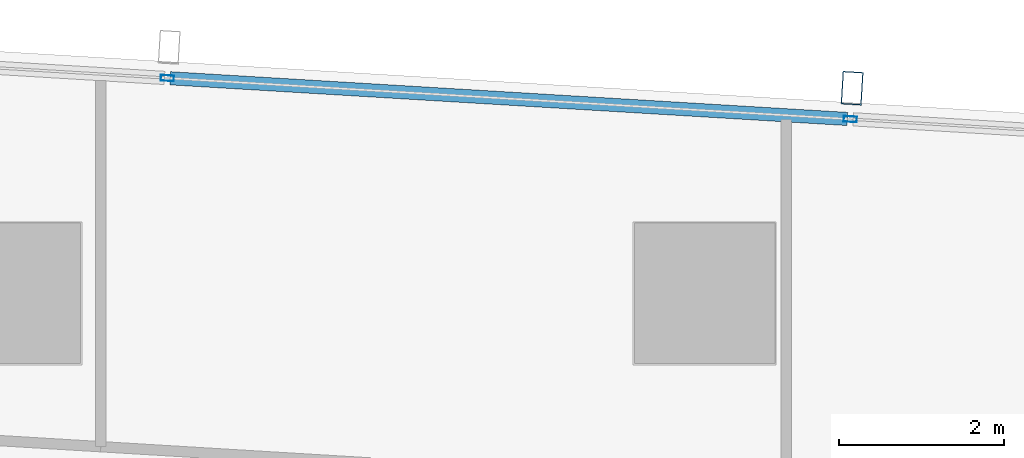
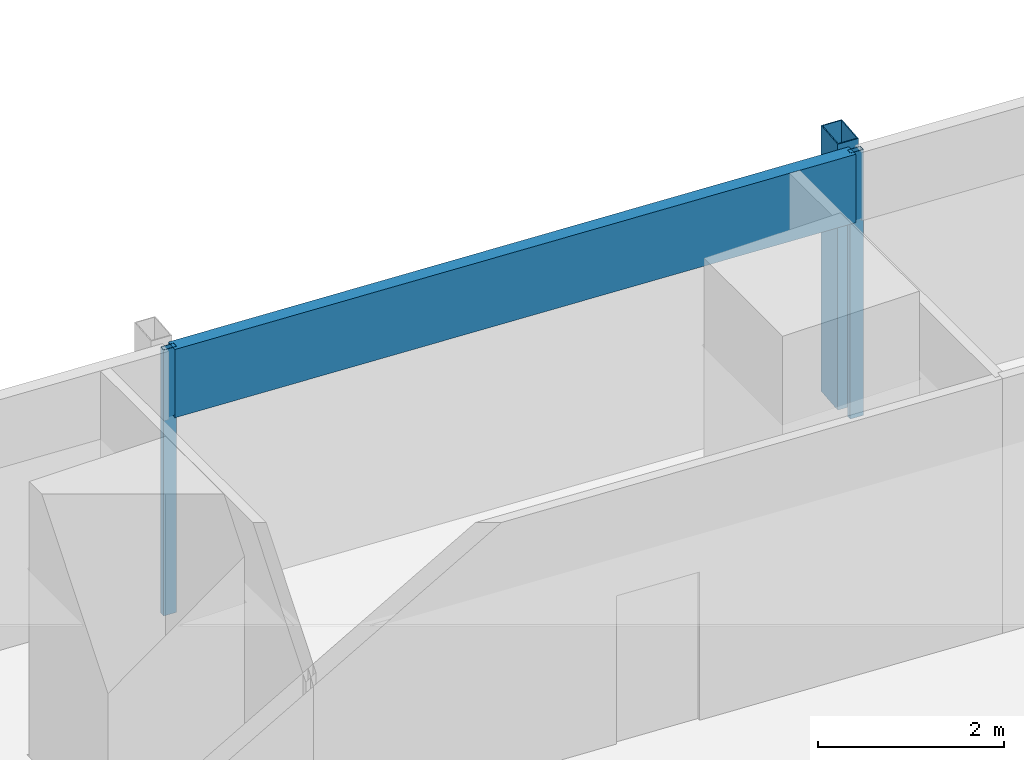
# One storey, part 19 of 40: 4 members, 1 element without a shape of its own.
"""IFC4 building model written with IfcOpenShell, lengths in metres."""

from ifc_helpers import new_model, si_unit, direction, frame, origin, origin_2d, place, context, subcontext, project, spatial, hollow_rectangle, extrude, material, material_profile, profile_set, type_object, element, aggregate, save


model = new_model("IFC4")

# Units and contexts
model_context = context("Model", 3, precision=1e-05, world=origin(), true_north=direction((0.0, 1.0)))
body_context = subcontext(model_context, "Body", "Model", "MODEL_VIEW")
ifc_project = project(units=[si_unit("LENGTHUNIT", "METRE"), si_unit("AREAUNIT", "SQUARE_METRE"), si_unit("VOLUMEUNIT", "CUBIC_METRE"), si_unit("PLANEANGLEUNIT", "RADIAN"), si_unit("MASSUNIT", "GRAM", prefix="KILO")], contexts=[model_context])

# Site, building, storey
site_placement = place(None, origin())
site = spatial("IfcSite", under=ifc_project, at=site_placement, CompositionType="ELEMENT")
building_placement = place(site_placement, origin())
building = spatial("IfcBuilding", under=site, at=building_placement, Name="Rekha Terrace Tower", CompositionType="ELEMENT")
storey_placement = place(building_placement, frame((0.0, 0.0, 110.300048828125)))
storey = spatial("IfcBuildingStorey", under=building, at=storey_placement, Name="L27", CompositionType="ELEMENT", Elevation=110.300048828125)

# Curtain wall, members
ifc_material_1 = material(Name="Aluminium framing", Category="aluminium")
curtain_wall_type = type_object("IfcCurtainWallType", Name="CW3 north unitised glazing", PredefinedType="USERDEFINED", material=ifc_material_1)
curtain_wall_placement = place(storey_placement, origin())
curtain_wall = element("IfcCurtainWall", 1, at=curtain_wall_placement, inside=storey, type_object=curtain_wall_type, Name="CW3 unitised curtain wall", ObjectType="UNITISED CURTAIN WALL", PredefinedType="USERDEFINED")
ifc_material_2 = material(Name="Steel S355 with fluorocarbon finish", Category="steel")
ifc_material_profile_1 = material_profile(ifc_material_2, hollow_rectangle(XDim=0.25, YDim=0.39990234375, WallThickness=0.012451171875, at=origin_2d()), Name="RHS400x250x12.5")
ifc_profile_set_1 = profile_set([ifc_material_profile_1], Name="Steel S355 with fluorocarbon finish")
member_type_1 = type_object("IfcMemberType", Name="BL1 facade blade RHS 400 x 250", PredefinedType="USERDEFINED", material=ifc_profile_set_1)
member_1_placement = place(storey_placement, frame((60.583740234375, 61.281005859375, 0.0), z_axis=(0.0, 0.0, 1.0), x_axis=(-0.998199123409, 0.059987582268, 0.0)))
member_1 = element("IfcMember", 2, at=member_1_placement, type_object=member_type_1, Name="Facade blade", ObjectType="FACADE BLADE", PredefinedType="USERDEFINED", context=body_context, shape_type="SweptSolid", body=[
    extrude(hollow_rectangle(XDim=0.25, YDim=0.39990234375, WallThickness=0.012451171875, at=origin_2d()), origin(), (0.0, 0.0, 1.0), 3.5),
])
ifc_material_3 = material(Name="Aluminium mullion section", Category="aluminium")
ifc_material_profile_2 = material_profile(ifc_material_3, hollow_rectangle(XDim=0.070068359375, YDim=0.159912109375, WallThickness=0.00390625, at=origin_2d()), Name="AL RHS 70x160")
ifc_profile_set_2 = profile_set([ifc_material_profile_2], Name="Aluminium mullion section")
member_type_2 = type_object("IfcMemberType", Name="CW3 mullion RHS 70 x 160", PredefinedType="MULLION", material=ifc_profile_set_2)
member_2_placement = place(storey_placement, frame((60.561279296875, 60.90673828125, 0.0), z_axis=(0.0, 0.0, 1.0), x_axis=(-0.059987926837, -0.998199102701, 0.0)))
member_2 = element("IfcMember", 3, at=member_2_placement, type_object=member_type_2, Name="CW3 mullion 2", PredefinedType="MULLION", context=body_context, shape_type="SweptSolid", body=[
    extrude(hollow_rectangle(XDim=0.070068359375, YDim=0.159912109375, WallThickness=0.00390625, at=origin_2d()), origin(), (0.0, 0.0, 1.0), 3.5),
])
member_3_placement = place(storey_placement, frame((52.299560546875, 61.4033203125, 0.0), z_axis=(0.0, 0.0, 1.0), x_axis=(-0.059987926837, -0.998199102701, 0.0)))
member_3 = element("IfcMember", 4, at=member_3_placement, type_object=member_type_2, Name="CW3 mullion 3", PredefinedType="MULLION", context=body_context, shape_type="SweptSolid", body=[
    extrude(hollow_rectangle(XDim=0.070068359375, YDim=0.159912109375, WallThickness=0.00390625, at=origin_2d()), origin(), (0.0, 0.0, 1.0), 3.5),
])
ifc_material_4 = material(Name="Insulated aluminium spandrel box", Category="aluminium")
ifc_material_profile_3 = material_profile(ifc_material_4, hollow_rectangle(XDim=0.159912109375, YDim=0.89990234375, WallThickness=0.0029296875, at=origin_2d()), Name="AL SPANDREL BOX 160x900")
ifc_profile_set_3 = profile_set([ifc_material_profile_3], Name="Insulated aluminium spandrel box")
member_type_3 = type_object("IfcMemberType", Name="CW3 spandrel transom 160 x 900", PredefinedType="USERDEFINED", material=ifc_profile_set_3)
member_4_placement = place(storey_placement, frame((60.5263671875, 60.908935546875, 3.050048828125), z_axis=(-0.998199826332, 0.059975884418, 0.0), x_axis=(-0.059975884418, -0.998199826332, 0.0)))
member_4 = element("IfcMember", 5, at=member_4_placement, type_object=member_type_3, Name="CW3 spandrel transom 2", ObjectType="TRANSOM", PredefinedType="USERDEFINED", context=body_context, shape_type="SweptSolid", body=[
    extrude(hollow_rectangle(XDim=0.159912109375, YDim=0.89990234375, WallThickness=0.0029296875, at=origin_2d()), origin(), (0.0, 0.0, 1.0), 8.20654296875),
])
aggregate(curtain_wall, [member_2, member_3, member_4, member_1])

save(model, "model.ifc")
